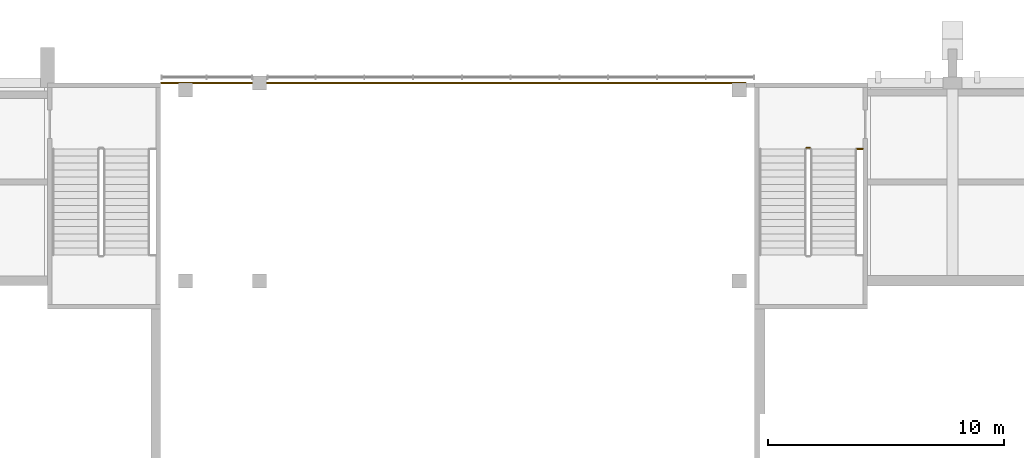
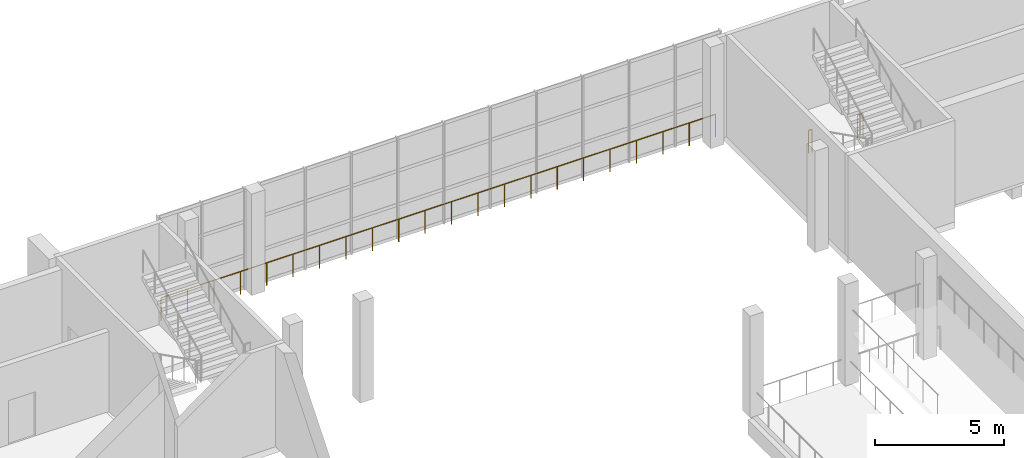
# One storey, part 85 of 91: 3 railings.
"""IFC4 building model written with IfcOpenShell, lengths in metres."""

from ifc_helpers import new_model, si_unit, direction, frame, origin, origin_2d, place, context, subcontext, project, spatial, circle, extrude, material, type_object, element, save


model = new_model("IFC4")

# Units and contexts
model_context = context("Model", 3, precision=1e-05, world=origin(), true_north=direction((0.0, 1.0)))
body_context = subcontext(model_context, "Body", "Model", "MODEL_VIEW")
ifc_project = project(units=[si_unit("LENGTHUNIT", "METRE"), si_unit("AREAUNIT", "SQUARE_METRE"), si_unit("VOLUMEUNIT", "CUBIC_METRE"), si_unit("PLANEANGLEUNIT", "RADIAN"), si_unit("MASSUNIT", "GRAM", prefix="KILO")], contexts=[model_context])

# Site, building, storey
site_placement = place(None, origin())
site = spatial("IfcSite", under=ifc_project, at=site_placement, CompositionType="ELEMENT")
building_placement = place(site_placement, origin())
building = spatial("IfcBuilding", under=site, at=building_placement, Name="Kiln Court Media Centre", CompositionType="ELEMENT")
storey_placement = place(building_placement, frame((0.0, 0.0, 5.39990234375)))
storey = spatial("IfcBuildingStorey", under=building, at=storey_placement, Name="L01", CompositionType="ELEMENT", Elevation=5.39990234375)

# Railings
ifc_material_1 = material(Name="Steel S275", Category="steel")
railing_type_1 = type_object("IfcRailingType", Name="Steel S275 balustrade guard 1100", PredefinedType="GUARDRAIL", material=ifc_material_1)
railing_1_placement = place(storey_placement, frame((58.429931640625, 67.199951171875, 0.0)))
element("IfcRailing", 1, at=railing_1_placement, inside=storey, type_object=railing_type_1, Name="L01 void edge guard", PredefinedType="GUARDRAIL", context=body_context, shape_type="SweptSolid", body=[
    extrude(circle(Radius=0.02392578125, at=origin_2d()), frame((0.0, 0.0, 1.076171875), z_axis=(-1.0, 0.0, 0.0), x_axis=(0.0, -1.0, 0.0)), (0.0, 0.0, 1.0), 24.809814453125),
    extrude(circle(Radius=0.02099609375, at=origin_2d()), origin(), (0.0, 0.0, 1.0), 1.052001953125),
    extrude(circle(Radius=0.02099609375, at=origin_2d()), frame((-1.181396484375, 0.0, 0.0)), (0.0, 0.0, 1.0), 1.052001953125),
    extrude(circle(Radius=0.02099609375, at=origin_2d()), frame((-2.36279296875, 0.0, 0.0)), (0.0, 0.0, 1.0), 1.052001953125),
    extrude(circle(Radius=0.02099609375, at=origin_2d()), frame((-3.544189453125, 0.0, 0.0)), (0.0, 0.0, 1.0), 1.052001953125),
    extrude(circle(Radius=0.02099609375, at=origin_2d()), frame((-4.7255859375, 0.0, 0.0)), (0.0, 0.0, 1.0), 1.052001953125),
    extrude(circle(Radius=0.02099609375, at=origin_2d()), frame((-5.906982421875, 0.0, 0.0)), (0.0, 0.0, 1.0), 1.052001953125),
    extrude(circle(Radius=0.02099609375, at=origin_2d()), frame((-7.088623046875, 0.0, 0.0)), (0.0, 0.0, 1.0), 1.052001953125),
    extrude(circle(Radius=0.02099609375, at=origin_2d()), frame((-8.27001953125, 0.0, 0.0)), (0.0, 0.0, 1.0), 1.052001953125),
    extrude(circle(Radius=0.02099609375, at=origin_2d()), frame((-9.451416015625, 0.0, 0.0)), (0.0, 0.0, 1.0), 1.052001953125),
    extrude(circle(Radius=0.02099609375, at=origin_2d()), frame((-10.6328125, 0.0, 0.0)), (0.0, 0.0, 1.0), 1.052001953125),
    extrude(circle(Radius=0.02099609375, at=origin_2d()), frame((-11.814208984375, 0.0, 0.0)), (0.0, 0.0, 1.0), 1.052001953125),
    extrude(circle(Radius=0.02099609375, at=origin_2d()), frame((-12.99560546875, 0.0, 0.0)), (0.0, 0.0, 1.0), 1.052001953125),
    extrude(circle(Radius=0.02099609375, at=origin_2d()), frame((-14.177001953125, 0.0, 0.0)), (0.0, 0.0, 1.0), 1.052001953125),
    extrude(circle(Radius=0.02099609375, at=origin_2d()), frame((-15.3583984375, 0.0, 0.0)), (0.0, 0.0, 1.0), 1.052001953125),
    extrude(circle(Radius=0.02099609375, at=origin_2d()), frame((-16.539794921875, 0.0, 0.0)), (0.0, 0.0, 1.0), 1.052001953125),
    extrude(circle(Radius=0.02099609375, at=origin_2d()), frame((-17.72119140625, 0.0, 0.0)), (0.0, 0.0, 1.0), 1.052001953125),
    extrude(circle(Radius=0.02099609375, at=origin_2d()), frame((-18.90283203125, 0.0, 0.0)), (0.0, 0.0, 1.0), 1.052001953125),
    extrude(circle(Radius=0.02099609375, at=origin_2d()), frame((-20.084228515625, 0.0, 0.0)), (0.0, 0.0, 1.0), 1.052001953125),
    extrude(circle(Radius=0.02099609375, at=origin_2d()), frame((-21.265625, 0.0, 0.0)), (0.0, 0.0, 1.0), 1.052001953125),
    extrude(circle(Radius=0.02099609375, at=origin_2d()), frame((-22.447021484375, 0.0, 0.0)), (0.0, 0.0, 1.0), 1.052001953125),
    extrude(circle(Radius=0.02099609375, at=origin_2d()), frame((-23.62841796875, 0.0, 0.0)), (0.0, 0.0, 1.0), 1.052001953125),
    extrude(circle(Radius=0.02099609375, at=origin_2d()), frame((-24.809814453125, 0.0, 0.0)), (0.0, 0.0, 1.0), 1.052001953125),
])
ifc_material_2 = material(Name="Steel S275", Category="steel")
railing_type_2 = type_object("IfcRailingType", Name="Steel S275 stair guard 1100", PredefinedType="GUARDRAIL", material=ifc_material_2)
railing_2_placement = place(storey_placement, frame((61.0, 64.449951171875, 0.0)))
element("IfcRailing", 2, at=railing_2_placement, inside=storey, type_object=railing_type_2, Name="ST-11 stair guard", PredefinedType="GUARDRAIL", context=body_context, shape_type="SweptSolid", body=[
    extrude(circle(Radius=0.02392578125, at=origin_2d()), frame((0.0, 0.0, 1.076171875), z_axis=(1.0, 0.0, 0.0), x_axis=(0.0, 1.0, 0.0)), (0.0, 0.0, 1.0), 0.14990234375),
    extrude(circle(Radius=0.02099609375, at=origin_2d()), origin(), (0.0, 0.0, 1.0), 1.052001953125),
    extrude(circle(Radius=0.02099609375, at=origin_2d()), frame((0.14990234375, 0.0, 0.0)), (0.0, 0.0, 1.0), 1.052001953125),
])
railing_3_placement = place(storey_placement, frame((63.14990234375, 64.39990234375, 0.0)))
element("IfcRailing", 3, at=railing_3_placement, inside=storey, type_object=railing_type_2, Name="ST-11 landing edge guard", PredefinedType="GUARDRAIL", context=body_context, shape_type="SweptSolid", body=[
    extrude(circle(Radius=0.02392578125, at=origin_2d()), frame((0.0, 0.0, 1.076171875), z_axis=(1.0, 0.0, 0.0), x_axis=(0.0, 1.0, 0.0)), (0.0, 0.0, 1.0), 0.25),
    extrude(circle(Radius=0.02099609375, at=origin_2d()), origin(), (0.0, 0.0, 1.0), 1.052001953125),
    extrude(circle(Radius=0.02099609375, at=origin_2d()), frame((0.25, 0.0, 0.0)), (0.0, 0.0, 1.0), 1.052001953125),
])

save(model, "model.ifc")
